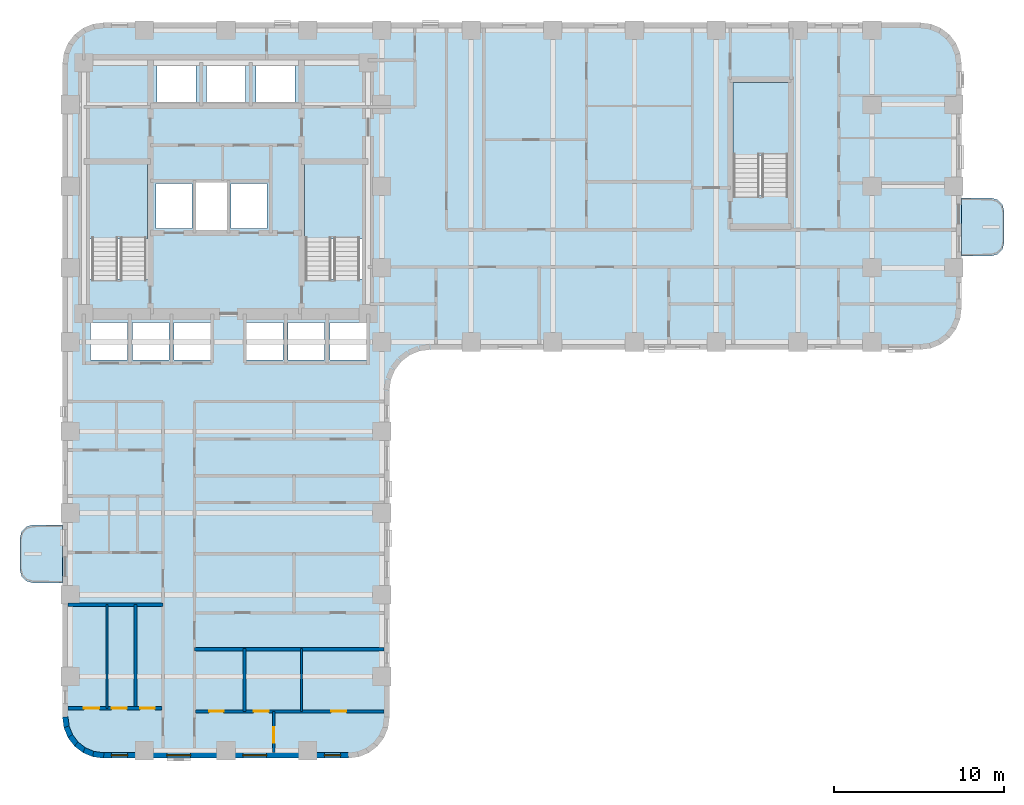
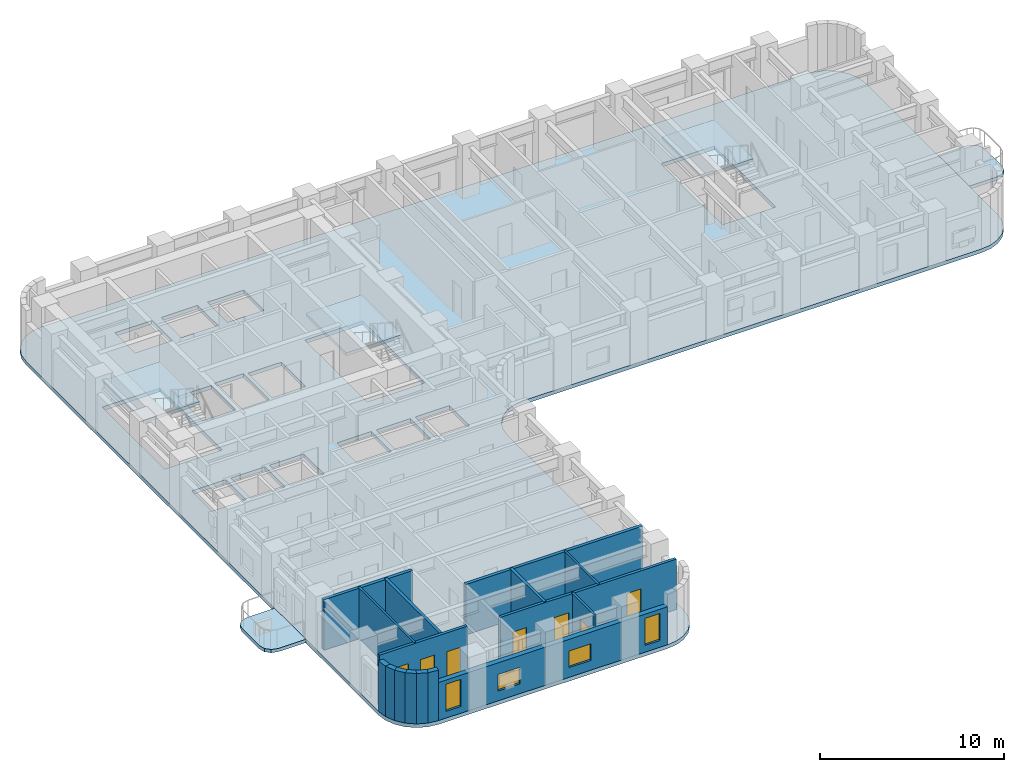
# One storey, part 2 of 12: 16 walls, 7 doors, 6 slabs, 4 windows, 11 openings, 3 elements without a shape of their own.
"""IFC4 building model written with IfcOpenShell, lengths in metres."""

from ifc_helpers import new_model, si_unit, direction, frame, frame_2d, origin, place, context, subcontext, project, spatial, polyline, rectangle, outline, extrude, material, layer, layer_set, type_object, element, fill, aggregate, save


model = new_model("IFC4")

# Units and contexts
model_context = context("Model", 3, precision=1e-05, world=origin(), true_north=direction((0.0, 1.0)))
body_context = subcontext(model_context, "Body", "Model", "MODEL_VIEW")
ifc_project = project(units=[si_unit("LENGTHUNIT", "METRE"), si_unit("AREAUNIT", "SQUARE_METRE"), si_unit("VOLUMEUNIT", "CUBIC_METRE"), si_unit("PLANEANGLEUNIT", "RADIAN"), si_unit("MASSUNIT", "GRAM", prefix="KILO")], contexts=[model_context])

# Site, building, storey
site_placement = place(None, origin())
site = spatial("IfcSite", under=ifc_project, at=site_placement, CompositionType="ELEMENT")
building_placement = place(site_placement, origin())
building = spatial("IfcBuilding", under=site, at=building_placement, Name="Orvandelia Arch Residences", CompositionType="ELEMENT")
storey_placement = place(building_placement, frame((0.0, 0.0, 39.39990234375)))
storey = spatial("IfcBuildingStorey", under=building, at=storey_placement, Name="L09", CompositionType="ELEMENT", Elevation=39.39990234375)

# Slabs
ifc_material_1 = material(Name="Precast concrete C40/50", Category="concrete")
ifc_layer_1 = layer(ifc_material_1, 0.219970703125, Name="Precast concrete C40/50", Category="concrete")
ifc_layer_set_1 = layer_set([ifc_layer_1], Name="Precast concrete C40/50")
slab_type_1 = type_object("IfcSlabType", Name="SLB-BAL-220", PredefinedType="USERDEFINED", material=ifc_layer_set_1)
slab_1_placement = place(storey_placement, frame((0.0, 0.0, -0.219970703125)))
element("IfcSlab", 1, at=slab_1_placement, inside=storey, type_object=slab_type_1, Name="Tree Balcony Cantilever Slab BAL-L09-W1", ObjectType="BALCONY", PredefinedType="USERDEFINED", context=body_context, shape_type="SweptSolid", body=[
    extrude(outline(polyline([(4.800048828125, 15.10009765625), (4.800048828125, 18.5), (3.050048828125, 18.5), (2.675048828125, 18.3994140625), (2.400390625, 18.125), (2.300048828125, 17.75), (2.300048828125, 15.85009765625), (2.400390625, 15.47509765625), (2.675048828125, 15.200439453125), (3.050048828125, 15.10009765625), (4.800048828125, 15.10009765625)])), origin(), (0.0, 0.0, 1.0), 0.219970703125),
])
slab_2_placement = place(storey_placement, frame((0.0, 0.0, -0.219970703125)))
element("IfcSlab", 2, at=slab_2_placement, inside=storey, type_object=slab_type_1, Name="Tree Balcony Cantilever Slab BAL-L09-E1", ObjectType="BALCONY", PredefinedType="USERDEFINED", context=body_context, shape_type="SweptSolid", body=[
    extrude(outline(polyline([(57.60009765625, 37.699951171875), (57.60009765625, 34.300048828125), (59.35009765625, 34.300048828125), (59.72509765625, 34.400390625), (59.99951171875, 34.675048828125), (60.10009765625, 35.050048828125), (60.10009765625, 36.949951171875), (59.99951171875, 37.324951171875), (59.72509765625, 37.599609375), (59.35009765625, 37.699951171875), (57.60009765625, 37.699951171875)])), origin(), (0.0, 0.0, 1.0), 0.219970703125),
])

# Stair, slab
ifc_material_2 = material(Name="Concrete C40/50", Category="concrete")
stair_type = type_object("IfcStairType", Name="STAIR-RC-DOGLEG", PredefinedType="HALF_TURN_STAIR", material=ifc_material_2)
stair_1_placement = place(storey_placement, origin())
stair_1 = element("IfcStair", 3, at=stair_1_placement, inside=storey, type_object=stair_type, Name="L09 Protected Exit Stair ST-1", PredefinedType="HALF_TURN_STAIR")
ifc_layer_2 = layer(ifc_material_2, 0.219970703125, Name="Concrete C40/50", Category="concrete")
ifc_layer_set_2 = layer_set([ifc_layer_2], Name="Concrete C40/50")
slab_type_2 = type_object("IfcSlabType", Name="SLB-LANDING-220", PredefinedType="LANDING", material=ifc_layer_set_2)
slab_3_placement = place(storey_placement, frame((0.0, 0.0, 1.60009765625)))
slab_3 = element("IfcSlab", 4, at=slab_3_placement, type_object=slab_type_2, Name="ST-1 landing 1", PredefinedType="LANDING", context=body_context, shape_type="SweptSolid", body=[
    extrude(outline(polyline([(9.800048828125, 35.31005859375), (9.800048828125, 39.68994140625), (6.260009765625, 39.68994140625), (6.260009765625, 35.31005859375), (9.800048828125, 35.31005859375)])), origin(), (0.0, 0.0, 1.0), 0.199951171875),
])
aggregate(stair_1, [slab_3])

stair_2_placement = place(storey_placement, origin())
stair_2 = element("IfcStair", 5, at=stair_2_placement, inside=storey, type_object=stair_type, Name="L09 Protected Exit Stair ST-2", PredefinedType="HALF_TURN_STAIR")
slab_4_placement = place(storey_placement, frame((0.0, 0.0, 1.60009765625)))
slab_4 = element("IfcSlab", 6, at=slab_4_placement, type_object=slab_type_2, Name="ST-2 landing 1", PredefinedType="LANDING", context=body_context, shape_type="SweptSolid", body=[
    extrude(outline(polyline([(22.5400390625, 35.31005859375), (22.5400390625, 39.68994140625), (19.0, 39.68994140625), (19.0, 35.31005859375), (22.5400390625, 35.31005859375)])), origin(), (0.0, 0.0, 1.0), 0.199951171875),
])
aggregate(stair_2, [slab_4])

stair_3_placement = place(storey_placement, origin())
stair_3 = element("IfcStair", 7, at=stair_3_placement, inside=storey, type_object=stair_type, Name="L09 East Wing Exit Stair ST-3", PredefinedType="HALF_TURN_STAIR")
slab_5_placement = place(storey_placement, frame((0.0, 0.0, 1.60009765625)))
slab_5 = element("IfcSlab", 8, at=slab_5_placement, type_object=slab_type_2, Name="ST-3 landing 1", PredefinedType="LANDING", context=body_context, shape_type="SweptSolid", body=[
    extrude(outline(polyline([(47.43994140625, 40.2099609375), (47.43994140625, 44.5), (44.179931640625, 44.5), (44.179931640625, 40.2099609375), (47.43994140625, 40.2099609375)])), origin(), (0.0, 0.0, 1.0), 0.199951171875),
])
aggregate(stair_3, [slab_5])

# Slab
ifc_layer_3 = layer(ifc_material_2, 0.25, Name="Concrete C40/50", Category="concrete")
ifc_layer_set_3 = layer_set([ifc_layer_3], Name="Concrete C40/50")
slab_type_3 = type_object("IfcSlabType", Name="SLB-TWR-250", PredefinedType="FLOOR", material=ifc_layer_set_3)
slab_6_placement = place(storey_placement, frame((0.0, 0.0, -0.25)))
element("IfcSlab", 9, at=slab_6_placement, inside=storey, type_object=slab_type_3, Name="Structural Floor Slab L09-1", PredefinedType="FLOOR", context=body_context, shape_type="SweptSolid", body=[
    extrude(outline(polyline([(4.800048828125, 7.199951171875), (4.8818359375, 6.578857421875), (5.12158203125, 6.0), (5.5029296875, 5.5029296875), (6.0, 5.12158203125), (6.578857421875, 4.8818359375), (7.199951171875, 4.800048828125), (21.60009765625, 4.800048828125), (22.22119140625, 4.8818359375), (22.800048828125, 5.12158203125), (23.297119140625, 5.5029296875), (23.678466796875, 6.0), (23.918212890625, 6.578857421875), (24.0, 7.199951171875), (24.0, 26.39990234375), (24.081787109375, 27.021240234375), (24.321533203125, 27.60009765625), (24.702880859375, 28.09716796875), (25.199951171875, 28.478515625), (25.77880859375, 28.71826171875), (26.39990234375, 28.800048828125), (55.199951171875, 28.800048828125), (55.8212890625, 28.8818359375), (56.39990234375, 29.12158203125), (56.897216796875, 29.5029296875), (57.278564453125, 30.0), (57.518310546875, 30.578857421875), (57.60009765625, 31.199951171875), (57.60009765625, 45.60009765625), (57.518310546875, 46.22119140625), (57.278564453125, 46.800048828125), (56.897216796875, 47.297119140625), (56.39990234375, 47.678466796875), (55.8212890625, 47.918212890625), (55.199951171875, 48.0), (7.199951171875, 48.0), (6.578857421875, 47.918212890625), (6.0, 47.678466796875), (5.5029296875, 47.297119140625), (5.12158203125, 46.800048828125), (4.8818359375, 46.22119140625), (4.800048828125, 45.60009765625), (4.800048828125, 7.199951171875)]), holes=[polyline([(6.219970703125, 32.949951171875), (9.840087890625, 32.949951171875), (9.840087890625, 39.72998046875), (6.219970703125, 39.72998046875), (6.219970703125, 32.949951171875)]), polyline([(18.9599609375, 32.949951171875), (22.580078125, 32.949951171875), (22.580078125, 39.72998046875), (18.9599609375, 39.72998046875), (18.9599609375, 32.949951171875)]), polyline([(44.139892578125, 37.85009765625), (47.47998046875, 37.85009765625), (47.47998046875, 44.5400390625), (44.139892578125, 44.5400390625), (44.139892578125, 37.85009765625)]), polyline([(12.639892578125, 35.81005859375), (14.4599609375, 35.81005859375), (14.4599609375, 38.639892578125), (12.639892578125, 38.639892578125), (12.639892578125, 35.81005859375)]), polyline([(10.300048828125, 35.89990234375), (12.39990234375, 35.89990234375), (12.39990234375, 38.550048828125), (10.300048828125, 38.550048828125), (10.300048828125, 35.89990234375)]), polyline([(14.699951171875, 35.89990234375), (16.800048828125, 35.89990234375), (16.800048828125, 38.550048828125), (14.699951171875, 38.550048828125), (14.699951171875, 35.89990234375)]), polyline([(10.35009765625, 43.300048828125), (12.64990234375, 43.300048828125), (12.64990234375, 45.5), (10.35009765625, 45.5), (10.35009765625, 43.300048828125)]), polyline([(13.25, 43.300048828125), (15.550048828125, 43.300048828125), (15.550048828125, 45.5), (13.25, 45.5), (13.25, 43.300048828125)]), polyline([(16.14990234375, 43.300048828125), (18.449951171875, 43.300048828125), (18.449951171875, 45.5), (16.14990234375, 45.5), (16.14990234375, 43.300048828125)]), polyline([(6.449951171875, 28.199951171875), (8.60009765625, 28.199951171875), (8.60009765625, 30.39990234375), (6.449951171875, 30.39990234375), (6.449951171875, 28.199951171875)]), polyline([(8.89990234375, 28.199951171875), (11.050048828125, 28.199951171875), (11.050048828125, 30.39990234375), (8.89990234375, 30.39990234375), (8.89990234375, 28.199951171875)]), polyline([(11.35009765625, 28.199951171875), (13.5, 28.199951171875), (13.5, 30.39990234375), (11.35009765625, 30.39990234375), (11.35009765625, 28.199951171875)]), polyline([(15.60009765625, 28.199951171875), (17.75, 28.199951171875), (17.75, 30.39990234375), (15.60009765625, 30.39990234375), (15.60009765625, 28.199951171875)]), polyline([(18.050048828125, 28.199951171875), (20.199951171875, 28.199951171875), (20.199951171875, 30.39990234375), (18.050048828125, 30.39990234375), (18.050048828125, 28.199951171875)]), polyline([(20.5, 28.199951171875), (22.64990234375, 28.199951171875), (22.64990234375, 30.39990234375), (20.5, 30.39990234375), (20.5, 28.199951171875)])]), origin(), (0.0, 0.0, 1.0), 0.25),
])

# Walls
ifc_layer_4 = layer(ifc_material_2, 0.199951171875, Name="Concrete C40/50", Category="concrete")
ifc_layer_set_4 = layer_set([ifc_layer_4], Name="Concrete C40/50")
wall_type_1 = type_object("IfcWallType", Name="WL-DEM-200", PredefinedType="SOLIDWALL", material=ifc_layer_set_4)
wall_1_placement = place(storey_placement, frame((5.1201171875, 13.800048828125, 0.0), z_axis=(0.0, 0.0, 1.0), x_axis=(1.0, 0.0, 0.0)))
element("IfcWall", 10, at=wall_1_placement, inside=storey, type_object=wall_type_1, Name="Interior Partition Wall WL-L09-DEM-WL-138", PredefinedType="SOLIDWALL", context=body_context, shape_type="SweptSolid", body=[
    extrude(rectangle(XDim=5.579833984375, YDim=0.199951171875, at=frame_2d((2.7900390625, 0.0))), origin(), (0.0, 0.0, 1.0), 3.35009765625),
])
wall_2_placement = place(storey_placement, frame((12.550048828125, 11.199951171875, 0.0), z_axis=(0.0, 0.0, 1.0), x_axis=(1.0, 0.0, 0.0)))
element("IfcWall", 11, at=wall_2_placement, inside=storey, type_object=wall_type_1, Name="Interior Partition Wall WL-L09-DEM-WR-112", PredefinedType="SOLIDWALL", context=body_context, shape_type="SweptSolid", body=[
    extrude(rectangle(XDim=11.1298828125, YDim=0.199951171875, at=frame_2d((5.56494140625, 0.0))), origin(), (0.0, 0.0, 1.0), 3.35009765625),
])

# Wall, openings, windows
ifc_layer_5 = layer(ifc_material_1, 0.320068359375, Name="Precast concrete C40/50", Category="concrete")
ifc_layer_set_5 = layer_set([ifc_layer_5], Name="Precast concrete C40/50")
wall_type_2 = type_object("IfcWallType", Name="WL-EXT-STONE-320", PredefinedType="STANDARD", material=ifc_layer_set_5)
wall_3_placement = place(storey_placement, frame((21.60009765625, 4.9599609375, 0.0), z_axis=(0.0, 0.0, 1.0), x_axis=(-1.0, 0.0, 0.0)))
wall_3 = element("IfcWall", 12, at=wall_3_placement, inside=storey, type_object=wall_type_2, Name="Coral-Limestone Precast Facade Wall L09-035", PredefinedType="STANDARD", context=body_context, shape_type="SweptSolid", body=[
    extrude(rectangle(XDim=14.400146484375, YDim=0.320068359375, at=frame_2d((7.2001953125, 0.0))), origin(), (0.0, 0.0, 1.0), 2.530029296875),
])
opening_1_placement = place(wall_3_placement, frame((12.97998046875, 0.0, 0.449951171875)))
opening_1 = element("IfcOpeningElement", 13, at=opening_1_placement, cuts=wall_3, Name="Opening W4", PredefinedType="OPENING", context=body_context, shape_type="SweptSolid", body=[
    extrude(rectangle(XDim=0.949951171875, YDim=1.800048828125, at=frame_2d((0.47509765625, 0.89990234375))), frame((0.0, 0.169921875, 0.0), z_axis=(0.0, -1.0, 0.0), x_axis=(1.0, 0.0, 0.0)), (0.0, 0.0, 1.0), 0.340087890625),
])
opening_2_placement = place(wall_3_placement, frame((9.27490234375, 0.0, 0.64990234375)))
opening_2 = element("IfcOpeningElement", 14, at=opening_2_placement, cuts=wall_3, Name="Opening W10", PredefinedType="OPENING", context=body_context, shape_type="SweptSolid", body=[
    extrude(rectangle(XDim=1.39990234375, YDim=1.10009765625, at=frame_2d((0.699951171875, 0.550048828125))), frame((0.0, 0.169921875, 0.0), z_axis=(0.0, -1.0, 0.0), x_axis=(1.0, 0.0, 0.0)), (0.0, 0.0, 1.0), 0.340087890625),
])
opening_3_placement = place(wall_3_placement, frame((4.8115234375, 0.0, 0.64990234375)))
opening_3 = element("IfcOpeningElement", 15, at=opening_3_placement, cuts=wall_3, Name="Opening W10", PredefinedType="OPENING", context=body_context, shape_type="SweptSolid", body=[
    extrude(rectangle(XDim=1.39990234375, YDim=1.10009765625, at=frame_2d((0.699951171875, 0.550048828125))), frame((0.0, 0.169921875, 0.0), z_axis=(0.0, -1.0, 0.0), x_axis=(1.0, 0.0, 0.0)), (0.0, 0.0, 1.0), 0.340087890625),
])
opening_4_placement = place(wall_3_placement, frame((0.469970703125, 0.0, 0.449951171875)))
opening_4 = element("IfcOpeningElement", 16, at=opening_4_placement, cuts=wall_3, Name="Opening W4", PredefinedType="OPENING", context=body_context, shape_type="SweptSolid", body=[
    extrude(rectangle(XDim=0.949951171875, YDim=1.800048828125, at=frame_2d((0.47509765625, 0.89990234375))), frame((0.0, 0.169921875, 0.0), z_axis=(0.0, -1.0, 0.0), x_axis=(1.0, 0.0, 0.0)), (0.0, 0.0, 1.0), 0.340087890625),
])
ifc_material_3 = material(Name="Tempered Low-E Insulated Glazing", Category="glass")
window_type_1 = type_object("IfcWindowType", Name="WIN-CLR-1400x1100", PartitioningType="SINGLE_PANEL", PredefinedType="WINDOW", material=ifc_material_3)
window_1_placement = place(opening_2_placement, origin())
window_1 = element("IfcWindow", 17, at=window_1_placement, inside=storey, type_object=window_type_1, Name="Recessed Punched Window L09-027", OverallHeight=1.10009765625, OverallWidth=1.39990234375, PartitioningType="SINGLE_PANEL", PredefinedType="WINDOW", context=body_context, shape_type="SweptSolid", body=[
    extrude(rectangle(XDim=1.39990234375, YDim=1.10009765625, at=frame_2d((0.699951171875, 0.550048828125))), frame((0.0, 0.030029296875, 0.0), z_axis=(0.0, -1.0, 0.0), x_axis=(1.0, 0.0, 0.0)), (0.0, 0.0, 1.0), 0.06005859375),
])
fill(opening_2, window_1)
window_2_placement = place(opening_3_placement, origin())
window_2 = element("IfcWindow", 18, at=window_2_placement, inside=storey, type_object=window_type_1, Name="Recessed Punched Window L09-028", OverallHeight=1.10009765625, OverallWidth=1.39990234375, PartitioningType="SINGLE_PANEL", PredefinedType="WINDOW", context=body_context, shape_type="SweptSolid", body=[
    extrude(rectangle(XDim=1.39990234375, YDim=1.10009765625, at=frame_2d((0.699951171875, 0.550048828125))), frame((0.0, 0.030029296875, 0.0), z_axis=(0.0, -1.0, 0.0), x_axis=(1.0, 0.0, 0.0)), (0.0, 0.0, 1.0), 0.06005859375),
])
fill(opening_3, window_2)
window_type_2 = type_object("IfcWindowType", Name="WIN-RES-0950x1800", PartitioningType="SINGLE_PANEL", PredefinedType="WINDOW", material=ifc_material_3)
window_3_placement = place(opening_1_placement, origin())
window_3 = element("IfcWindow", 19, at=window_3_placement, inside=storey, type_object=window_type_2, Name="Recessed Punched Window L09-026", OverallHeight=1.800048828125, OverallWidth=0.949951171875, PartitioningType="SINGLE_PANEL", PredefinedType="WINDOW", context=body_context, shape_type="SweptSolid", body=[
    extrude(rectangle(XDim=0.949951171875, YDim=1.800048828125, at=frame_2d((0.47509765625, 0.89990234375))), frame((0.0, 0.030029296875, 0.0), z_axis=(0.0, -1.0, 0.0), x_axis=(1.0, 0.0, 0.0)), (0.0, 0.0, 1.0), 0.06005859375),
])
fill(opening_1, window_3)
window_4_placement = place(opening_4_placement, origin())
window_4 = element("IfcWindow", 20, at=window_4_placement, inside=storey, type_object=window_type_2, Name="Recessed Punched Window L09-029", OverallHeight=1.800048828125, OverallWidth=0.949951171875, PartitioningType="SINGLE_PANEL", PredefinedType="WINDOW", context=body_context, shape_type="SweptSolid", body=[
    extrude(rectangle(XDim=0.949951171875, YDim=1.800048828125, at=frame_2d((0.47509765625, 0.89990234375))), frame((0.0, 0.030029296875, 0.0), z_axis=(0.0, -1.0, 0.0), x_axis=(1.0, 0.0, 0.0)), (0.0, 0.0, 1.0), 0.06005859375),
])
fill(opening_4, window_4)

# Walls
wall_4_placement = place(storey_placement, frame((7.220947265625, 4.95849609375, 0.0), z_axis=(0.0, 0.0, 1.0), x_axis=(-0.991447664465, 0.130504898859, 0.0)))
element("IfcWall", 21, at=wall_4_placement, inside=storey, type_object=wall_type_2, Name="Coral-Limestone Precast Facade Wall L09-036", PredefinedType="STANDARD", context=body_context, shape_type="SweptSolid", body=[
    extrude(rectangle(XDim=0.626708984375, YDim=0.320068359375, at=frame_2d((0.3134765625, 0.0))), origin(), (0.0, 0.0, 1.0), 3.35009765625),
])
wall_5_placement = place(storey_placement, frame((6.639892578125, 5.029541015625, 0.0), z_axis=(0.0, 0.0, 1.0), x_axis=(-0.923836271867, 0.382787856107, 0.0)))
element("IfcWall", 22, at=wall_5_placement, inside=storey, type_object=wall_type_2, Name="Coral-Limestone Precast Facade Wall L09-037", PredefinedType="STANDARD", context=body_context, shape_type="SweptSolid", body=[
    extrude(rectangle(XDim=0.626220703125, YDim=0.320068359375, at=frame_2d((0.31298828125, 0.0))), origin(), (0.0, 0.0, 1.0), 3.35009765625),
])
for number, where, z_axis, x_axis, name in (
    (23, (6.097412109375, 5.248291015625, 0.0), (0.0, 0.0, 1.0), (-0.7932174212, 0.608938521285, 0.0), "Coral-Limestone Precast Facade Wall L09-038"),
    (24, (5.6298828125, 5.600341796875, 0.0), (0.0, 0.0, 1.0), (-0.608938521285, 0.7932174212, 0.0), "Coral-Limestone Precast Facade Wall L09-039"),
):
    element("IfcWall", number, at=place(storey_placement, frame(where, z_axis=z_axis, x_axis=x_axis)), inside=storey, type_object=wall_type_2, Name=name, PredefinedType="STANDARD", context=body_context, shape_type="SweptSolid", body=[
        extrude(rectangle(XDim=0.626708984375, YDim=0.320068359375, at=frame_2d((0.3134765625, 0.0))), origin(), (0.0, 0.0, 1.0), 3.35009765625),
    ])
wall_6_placement = place(storey_placement, frame((5.269287109375, 6.061279296875, 0.0), z_axis=(0.0, 0.0, 1.0), x_axis=(-0.382787856107, 0.923836271867, 0.0)))
element("IfcWall", 25, at=wall_6_placement, inside=storey, type_object=wall_type_2, Name="Coral-Limestone Precast Facade Wall L09-040", PredefinedType="STANDARD", context=body_context, shape_type="SweptSolid", body=[
    extrude(rectangle(XDim=0.626220703125, YDim=0.320068359375, at=frame_2d((0.31298828125, 0.0))), origin(), (0.0, 0.0, 1.0), 3.35009765625),
])
wall_7_placement = place(storey_placement, frame((5.040283203125, 6.599609375, 0.0), z_axis=(0.0, 0.0, 1.0), x_axis=(-0.130504898859, 0.991447664465, 0.0)))
element("IfcWall", 26, at=wall_7_placement, inside=storey, type_object=wall_type_2, Name="Coral-Limestone Precast Facade Wall L09-041", PredefinedType="STANDARD", context=body_context, shape_type="SweptSolid", body=[
    extrude(rectangle(XDim=0.626708984375, YDim=0.320068359375, at=frame_2d((0.3134765625, 0.0))), origin(), (0.0, 0.0, 1.0), 3.35009765625),
])
ifc_material_4 = material(Name="Lightweight Gypsum Stud Partition")
ifc_layer_6 = layer(ifc_material_4, 0.1201171875, Name="Lightweight Gypsum Stud Partition")
ifc_layer_set_6 = layer_set([ifc_layer_6], Name="Lightweight Gypsum Stud Partition")
wall_type_3 = type_object("IfcWallType", Name="WL-PART-120", PredefinedType="PARTITIONING", material=ifc_layer_set_6)
wall_8_placement = place(storey_placement, frame((7.404052734375, 7.73193359375, 0.0), z_axis=(0.0, 0.0, 1.0), x_axis=(0.0, 1.0, 0.0)))
element("IfcWall", 27, at=wall_8_placement, inside=storey, type_object=wall_type_3, Name="Interior Partition Wall WL-L09-U01-V1", PredefinedType="PARTITIONING", context=body_context, shape_type="SweptSolid", body=[
    extrude(rectangle(XDim=6.108154296875, YDim=0.1201171875, at=frame_2d((3.05419921875, 0.0))), origin(), (0.0, 0.0, 1.0), 3.35009765625),
])
wall_9_placement = place(storey_placement, frame((18.843017578125, 7.548095703125, 0.0), z_axis=(0.0, 0.0, 1.0), x_axis=(0.0, 1.0, 0.0)))
element("IfcWall", 28, at=wall_9_placement, inside=storey, type_object=wall_type_3, Name="Interior Partition Wall WL-L09-U04-V2", PredefinedType="PARTITIONING", context=body_context, shape_type="SweptSolid", body=[
    extrude(rectangle(XDim=3.69189453125, YDim=0.1201171875, at=frame_2d((1.845947265625, 0.0))), origin(), (0.0, 0.0, 1.0), 3.35009765625),
])

# Wall, opening, door
ifc_material_5 = material(Name="Double-Layer Acoustic Gypsum Partition")
ifc_layer_7 = layer(ifc_material_5, 0.135009765625, Name="Double-Layer Acoustic Gypsum Partition")
ifc_layer_set_7 = layer_set([ifc_layer_7], Name="Double-Layer Acoustic Gypsum Partition")
wall_type_4 = type_object("IfcWallType", Name="WL-PART-135", PredefinedType="PARTITIONING", material=ifc_layer_set_7)
wall_10_placement = place(storey_placement, frame((17.20703125, 5.1201171875, 0.0), z_axis=(0.0, 0.0, 1.0), x_axis=(0.0, 1.0, 0.0)))
wall_10 = element("IfcWall", 29, at=wall_10_placement, inside=storey, type_object=wall_type_4, Name="Interior Partition Wall WL-L09-U04-DIN", PredefinedType="PARTITIONING", context=body_context, shape_type="SweptSolid", body=[
    extrude(rectangle(XDim=2.427978515625, YDim=0.135009765625, at=frame_2d((1.2138671875, 0.0))), origin(), (0.0, 0.0, 1.0), 3.35009765625),
])
opening_5_placement = place(wall_10_placement, frame((0.585693359375, 0.0, 0.0)))
opening_5 = element("IfcOpeningElement", 30, at=opening_5_placement, cuts=wall_10, Name="Opening D3", PredefinedType="OPENING", context=body_context, shape_type="SweptSolid", body=[
    extrude(rectangle(XDim=0.89990234375, YDim=2.14990234375, at=frame_2d((0.449951171875, 1.074951171875))), frame((0.0, 0.07763671875, 0.0), z_axis=(0.0, -1.0, 0.0), x_axis=(1.0, 0.0, 0.0)), (0.0, 0.0, 1.0), 0.155029296875),
])
ifc_material_6 = material(Name="Engineered Timber Flush Door", Category="wood")
door_type_1 = type_object("IfcDoorType", Name="DR-INT-900", OperationType="NOTDEFINED", PredefinedType="DOOR", material=ifc_material_6)
door_1_placement = place(opening_5_placement, origin())
door_1 = element("IfcDoor", 31, at=door_1_placement, inside=storey, type_object=door_type_1, Name="DR-L09-U04-DIN", OperationType="SINGLE_SWING_LEFT", OverallHeight=2.14990234375, OverallWidth=0.89990234375, PredefinedType="DOOR", context=body_context, shape_type="SweptSolid", body=[
    extrude(rectangle(XDim=0.89990234375, YDim=2.14990234375, at=frame_2d((0.449951171875, 1.074951171875))), frame((0.0, 0.02490234375, 0.0), z_axis=(0.0, -1.0, 0.0), x_axis=(1.0, 0.0, 0.0)), (0.0, 0.0, 1.0), 0.050048828125),
])
fill(opening_5, door_1)

# Wall, openings, doors
ifc_material_7 = material(Name="Moisture-Resistant Plumbing Wall")
ifc_layer_8 = layer(ifc_material_7, 0.179931640625, Name="Moisture-Resistant Plumbing Wall")
ifc_layer_set_8 = layer_set([ifc_layer_8], Name="Moisture-Resistant Plumbing Wall")
wall_type_5 = type_object("IfcWallType", Name="WL-WET-180", PredefinedType="PLUMBINGWALL", material=ifc_layer_set_8)
wall_11_placement = place(storey_placement, frame((5.1201171875, 7.73193359375, 0.0), z_axis=(0.0, 0.0, 1.0), x_axis=(1.0, 0.0, 0.0)))
wall_11 = element("IfcWall", 32, at=wall_11_placement, inside=storey, type_object=wall_type_5, Name="Interior Partition Wall WL-L09-U01-HZ", PredefinedType="PLUMBINGWALL", context=body_context, shape_type="SweptSolid", body=[
    extrude(rectangle(XDim=5.519775390625, YDim=0.179931640625, at=frame_2d((2.759765625, 0.0))), origin(), (0.0, 0.0, 1.0), 3.35009765625),
])
opening_6_placement = place(wall_11_placement, frame((0.93701171875, 0.0, 0.0)))
opening_6 = element("IfcOpeningElement", 33, at=opening_6_placement, cuts=wall_11, Name="Opening D3", PredefinedType="OPENING", context=body_context, shape_type="SweptSolid", body=[
    extrude(rectangle(XDim=0.89990234375, YDim=2.14990234375, at=frame_2d((0.449951171875, 1.074951171875))), frame((0.0, 0.10009765625, 0.0), z_axis=(0.0, -1.0, 0.0), x_axis=(1.0, 0.0, 0.0)), (0.0, 0.0, 1.0), 0.199951171875),
])
opening_7_placement = place(wall_11_placement, frame((2.56396484375, 0.0, 0.0)))
opening_7 = element("IfcOpeningElement", 34, at=opening_7_placement, cuts=wall_11, Name="Opening D3", PredefinedType="OPENING", context=body_context, shape_type="SweptSolid", body=[
    extrude(rectangle(XDim=0.89990234375, YDim=2.14990234375, at=frame_2d((0.449951171875, 1.074951171875))), frame((0.0, 0.10009765625, 0.0), z_axis=(0.0, -1.0, 0.0), x_axis=(1.0, 0.0, 0.0)), (0.0, 0.0, 1.0), 0.199951171875),
])
opening_8_placement = place(wall_11_placement, frame((4.238037109375, 0.0, 0.0)))
opening_8 = element("IfcOpeningElement", 35, at=opening_8_placement, cuts=wall_11, Name="Opening D4", PredefinedType="OPENING", context=body_context, shape_type="SweptSolid", body=[
    extrude(rectangle(XDim=0.860107421875, YDim=2.10009765625, at=frame_2d((0.43017578125, 1.050048828125))), frame((0.0, 0.10009765625, 0.0), z_axis=(0.0, -1.0, 0.0), x_axis=(1.0, 0.0, 0.0)), (0.0, 0.0, 1.0), 0.199951171875),
])
door_2_placement = place(opening_6_placement, origin())
door_2 = element("IfcDoor", 36, at=door_2_placement, inside=storey, type_object=door_type_1, Name="DR-L09-U01-STDY", OperationType="SINGLE_SWING_LEFT", OverallHeight=2.14990234375, OverallWidth=0.89990234375, PredefinedType="DOOR", context=body_context, shape_type="SweptSolid", body=[
    extrude(rectangle(XDim=0.89990234375, YDim=2.14990234375, at=frame_2d((0.449951171875, 1.074951171875))), frame((0.0, 0.02490234375, 0.0), z_axis=(0.0, -1.0, 0.0), x_axis=(1.0, 0.0, 0.0)), (0.0, 0.0, 1.0), 0.050048828125),
])
fill(opening_6, door_2)
door_3_placement = place(opening_7_placement, origin())
door_3 = element("IfcDoor", 37, at=door_3_placement, inside=storey, type_object=door_type_1, Name="DR-L09-U01-KIT", OperationType="SINGLE_SWING_RIGHT", OverallHeight=2.14990234375, OverallWidth=0.89990234375, PredefinedType="DOOR", context=body_context, shape_type="SweptSolid", body=[
    extrude(rectangle(XDim=0.89990234375, YDim=2.14990234375, at=frame_2d((0.449951171875, 1.074951171875))), frame((0.0, 0.02490234375, 0.0), z_axis=(0.0, -1.0, 0.0), x_axis=(1.0, 0.0, 0.0)), (0.0, 0.0, 1.0), 0.050048828125),
])
fill(opening_7, door_3)
ifc_material_8 = material(Name="Moisture-Sealed Timber Bathroom Door", Category="wood")
door_type_2 = type_object("IfcDoorType", Name="DR-WET-900", OperationType="NOTDEFINED", PredefinedType="DOOR", material=ifc_material_8)
door_4_placement = place(opening_8_placement, origin())
door_4 = element("IfcDoor", 38, at=door_4_placement, inside=storey, type_object=door_type_2, Name="DR-L09-U01-BTH", OperationType="SINGLE_SWING_LEFT", OverallHeight=2.10009765625, OverallWidth=0.860107421875, PredefinedType="DOOR", context=body_context, shape_type="SweptSolid", body=[
    extrude(rectangle(XDim=0.860107421875, YDim=2.10009765625, at=frame_2d((0.43017578125, 1.050048828125))), frame((0.0, 0.02490234375, 0.0), z_axis=(0.0, -1.0, 0.0), x_axis=(1.0, 0.0, 0.0)), (0.0, 0.0, 1.0), 0.050048828125),
])
fill(opening_8, door_4)

# Wall
wall_12_placement = place(storey_placement, frame((9.077880859375, 7.73193359375, 0.0), z_axis=(0.0, 0.0, 1.0), x_axis=(0.0, 1.0, 0.0)))
element("IfcWall", 39, at=wall_12_placement, inside=storey, type_object=wall_type_5, Name="Interior Partition Wall WL-L09-U01-V2", PredefinedType="PLUMBINGWALL", context=body_context, shape_type="SweptSolid", body=[
    extrude(rectangle(XDim=6.108154296875, YDim=0.179931640625, at=frame_2d((3.05419921875, 0.0))), origin(), (0.0, 0.0, 1.0), 3.35009765625),
])

# Wall, openings, doors
wall_13_placement = place(storey_placement, frame((12.610107421875, 7.548095703125, 0.0), z_axis=(0.0, 0.0, 1.0), x_axis=(1.0, 0.0, 0.0)))
wall_13 = element("IfcWall", 40, at=wall_13_placement, inside=storey, type_object=wall_type_5, Name="Interior Partition Wall WL-L09-U04-HZ", PredefinedType="PLUMBINGWALL", context=body_context, shape_type="SweptSolid", body=[
    extrude(rectangle(XDim=11.06982421875, YDim=0.179931640625, at=frame_2d((5.534912109375, 0.0))), origin(), (0.0, 0.0, 1.0), 3.35009765625),
])
opening_9_placement = place(wall_13_placement, frame((0.795166015625, 0.0, 0.0)))
opening_9 = element("IfcOpeningElement", 41, at=opening_9_placement, cuts=wall_13, Name="Opening D4", PredefinedType="OPENING", context=body_context, shape_type="SweptSolid", body=[
    extrude(rectangle(XDim=0.860107421875, YDim=2.10009765625, at=frame_2d((0.43017578125, 1.050048828125))), frame((0.0, 0.10009765625, 0.0), z_axis=(0.0, -1.0, 0.0), x_axis=(1.0, 0.0, 0.0)), (0.0, 0.0, 1.0), 0.199951171875),
])
opening_10_placement = place(wall_13_placement, frame((3.414306640625, 0.0, 0.0)))
opening_10 = element("IfcOpeningElement", 42, at=opening_10_placement, cuts=wall_13, Name="Opening D3", PredefinedType="OPENING", context=body_context, shape_type="SweptSolid", body=[
    extrude(rectangle(XDim=0.89990234375, YDim=2.14990234375, at=frame_2d((0.449951171875, 1.074951171875))), frame((0.0, 0.10009765625, 0.0), z_axis=(0.0, -1.0, 0.0), x_axis=(1.0, 0.0, 0.0)), (0.0, 0.0, 1.0), 0.199951171875),
])
opening_11_placement = place(wall_13_placement, frame((7.964111328125, 0.0, 0.0)))
opening_11 = element("IfcOpeningElement", 43, at=opening_11_placement, cuts=wall_13, Name="Opening D3", PredefinedType="OPENING", context=body_context, shape_type="SweptSolid", body=[
    extrude(rectangle(XDim=0.89990234375, YDim=2.14990234375, at=frame_2d((0.449951171875, 1.074951171875))), frame((0.0, 0.10009765625, 0.0), z_axis=(0.0, -1.0, 0.0), x_axis=(1.0, 0.0, 0.0)), (0.0, 0.0, 1.0), 0.199951171875),
])
door_5_placement = place(opening_10_placement, origin())
door_5 = element("IfcDoor", 44, at=door_5_placement, inside=storey, type_object=door_type_1, Name="DR-L09-U04-KIT", OperationType="SINGLE_SWING_RIGHT", OverallHeight=2.14990234375, OverallWidth=0.89990234375, PredefinedType="DOOR", context=body_context, shape_type="SweptSolid", body=[
    extrude(rectangle(XDim=0.89990234375, YDim=2.14990234375, at=frame_2d((0.449951171875, 1.074951171875))), frame((0.0, 0.02490234375, 0.0), z_axis=(0.0, -1.0, 0.0), x_axis=(1.0, 0.0, 0.0)), (0.0, 0.0, 1.0), 0.050048828125),
])
fill(opening_10, door_5)
door_6_placement = place(opening_11_placement, origin())
door_6 = element("IfcDoor", 45, at=door_6_placement, inside=storey, type_object=door_type_1, Name="DR-L09-U04-BD1", OperationType="SINGLE_SWING_LEFT", OverallHeight=2.14990234375, OverallWidth=0.89990234375, PredefinedType="DOOR", context=body_context, shape_type="SweptSolid", body=[
    extrude(rectangle(XDim=0.89990234375, YDim=2.14990234375, at=frame_2d((0.449951171875, 1.074951171875))), frame((0.0, 0.02490234375, 0.0), z_axis=(0.0, -1.0, 0.0), x_axis=(1.0, 0.0, 0.0)), (0.0, 0.0, 1.0), 0.050048828125),
])
fill(opening_11, door_6)
door_7_placement = place(opening_9_placement, origin())
door_7 = element("IfcDoor", 46, at=door_7_placement, inside=storey, type_object=door_type_2, Name="DR-L09-U04-BTH", OperationType="SINGLE_SWING_LEFT", OverallHeight=2.10009765625, OverallWidth=0.860107421875, PredefinedType="DOOR", context=body_context, shape_type="SweptSolid", body=[
    extrude(rectangle(XDim=0.860107421875, YDim=2.10009765625, at=frame_2d((0.43017578125, 1.050048828125))), frame((0.0, 0.02490234375, 0.0), z_axis=(0.0, -1.0, 0.0), x_axis=(1.0, 0.0, 0.0)), (0.0, 0.0, 1.0), 0.050048828125),
])
fill(opening_9, door_7)

# Wall
wall_14_placement = place(storey_placement, frame((15.47705078125, 7.548095703125, 0.0), z_axis=(0.0, 0.0, 1.0), x_axis=(0.0, 1.0, 0.0)))
element("IfcWall", 47, at=wall_14_placement, inside=storey, type_object=wall_type_5, Name="Interior Partition Wall WL-L09-U04-V1", PredefinedType="PLUMBINGWALL", context=body_context, shape_type="SweptSolid", body=[
    extrude(rectangle(XDim=3.69189453125, YDim=0.179931640625, at=frame_2d((1.845947265625, 0.0))), origin(), (0.0, 0.0, 1.0), 3.35009765625),
])

save(model, "model.ifc")
